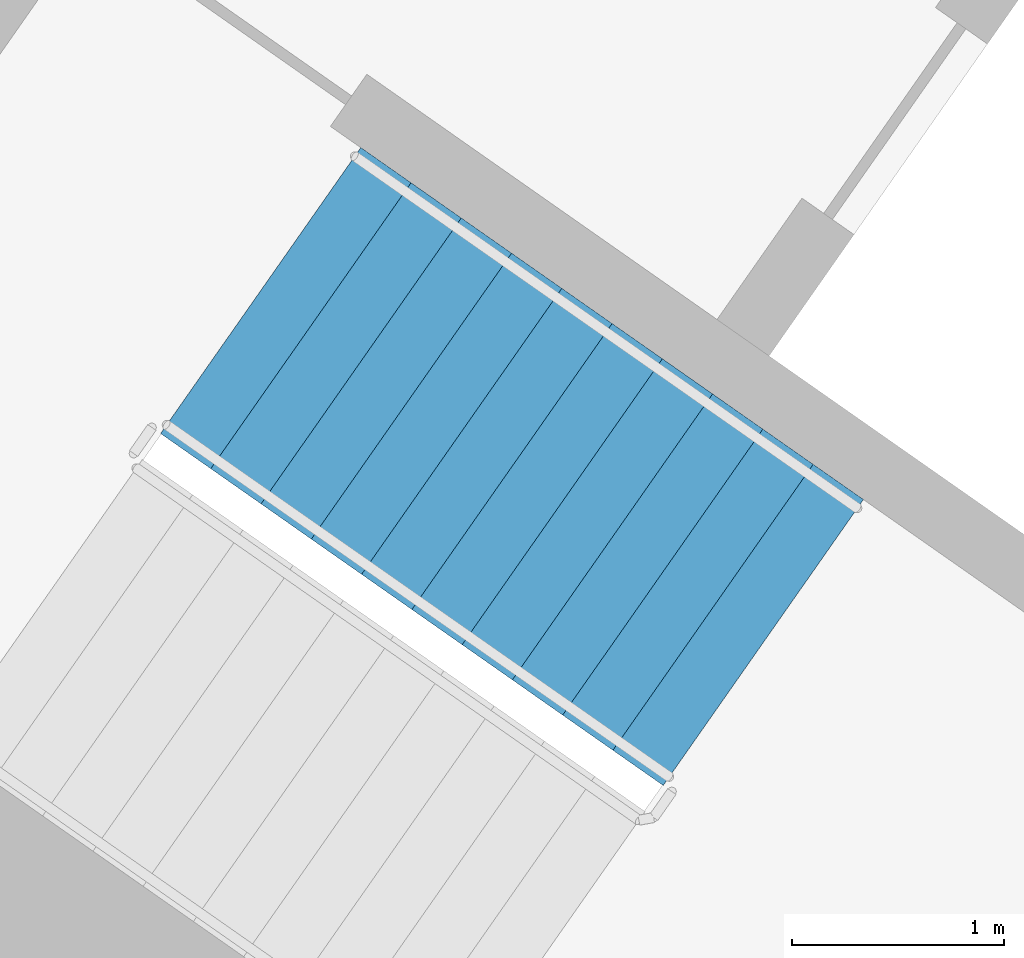
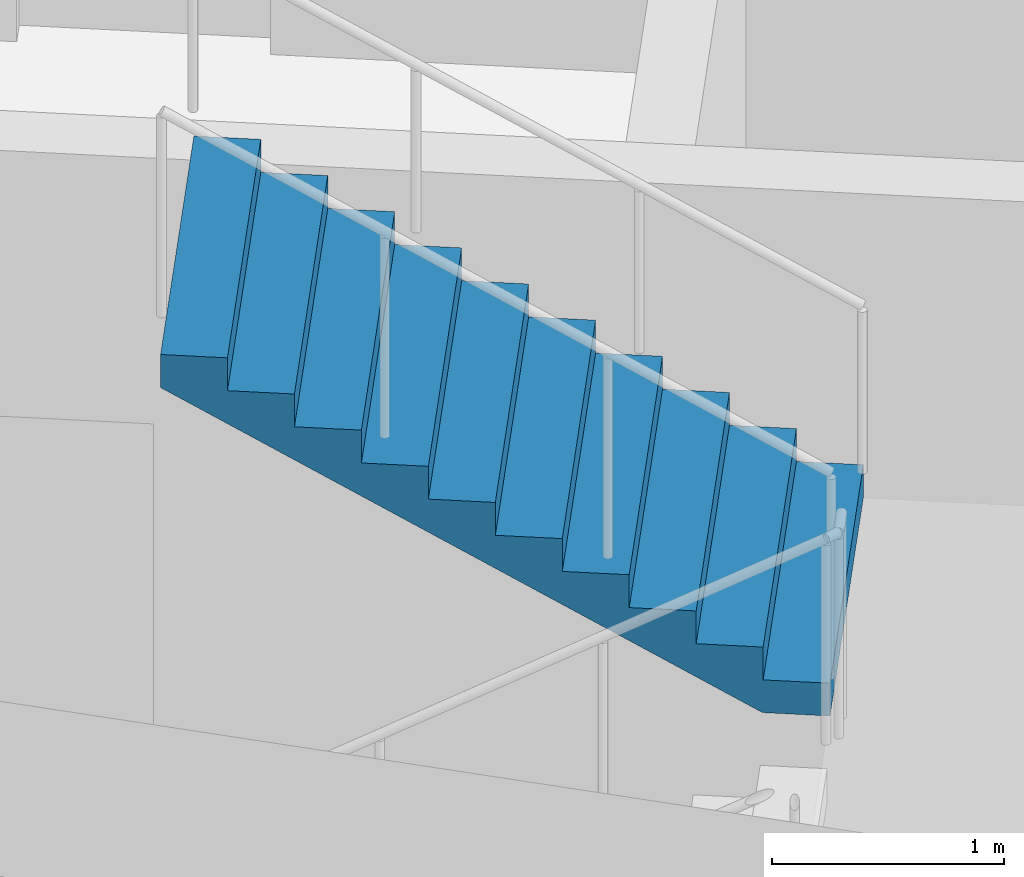
# One storey, part 12 of 30: 1 stair flight, 1 element without a shape of its own.
"""IFC4 building model written with IfcOpenShell, lengths in metres."""

from ifc_helpers import new_model, si_unit, direction, frame, origin, place, context, subcontext, project, spatial, faceted_brep, material, type_object, element, aggregate, save


model = new_model("IFC4")

# Units and contexts
model_context = context("Model", 3, precision=1e-05, world=origin(), true_north=direction((0.0, 1.0)))
body_context = subcontext(model_context, "Body", "Model", "MODEL_VIEW")
ifc_project = project(units=[si_unit("LENGTHUNIT", "METRE"), si_unit("AREAUNIT", "SQUARE_METRE"), si_unit("VOLUMEUNIT", "CUBIC_METRE"), si_unit("PLANEANGLEUNIT", "RADIAN"), si_unit("MASSUNIT", "GRAM", prefix="KILO")], contexts=[model_context])

# Site, building, storey
site_placement = place(None, origin())
site = spatial("IfcSite", under=ifc_project, at=site_placement, CompositionType="ELEMENT")
building_placement = place(site_placement, origin())
building = spatial("IfcBuilding", under=site, at=building_placement, Name="Qamariyya Broadcast Tower", CompositionType="ELEMENT")
storey_placement = place(building_placement, frame((0.0, 0.0, 125.300048828125)))
storey = spatial("IfcBuildingStorey", under=building, at=storey_placement, Name="L28", CompositionType="ELEMENT", Elevation=125.300048828125)

# Stair, stair flight
ifc_material = material(Name="Concrete C50/60", Category="concrete")
stair_type = type_object("IfcStairType", Name="Exit stair 22 risers of 173 mm", PredefinedType="HALF_TURN_STAIR", material=ifc_material)
stair_placement = place(storey_placement, origin())
stair = element("IfcStair", 1, at=stair_placement, inside=storey, type_object=stair_type, Name="L28 Stair W1", PredefinedType="HALF_TURN_STAIR")
stair_flight_type = type_object("IfcStairFlightType", Name="Exit stair flight 11 risers of 173 mm", PredefinedType="STRAIGHT", material=ifc_material)
stair_flight_placement = place(storey_placement, frame((-43.660888671875, -57.17138671875, 1.89990234375), z_axis=(0.0, 0.0, 1.0), x_axis=(-0.819152044289, 0.573576436351, 0.0)))
stair_flight = element("IfcStairFlight", 2, at=stair_flight_placement, type_object=stair_flight_type, Name="ST-W1 flight 2", NumberOfRisers=11, NumberOfTreads=10, PredefinedType="STRAIGHT", RiserHeight=0.172727273, TreadLength=0.29, context=body_context, shape_type="Brep", body=[
    faceted_brep([(0.0, 0.824951171875, 0.0), (0.0, 0.824951171875, 0.172607421875), (0.2900390625, 0.824951171875, 0.172607421875), (0.2900390625, 0.824951171875, 0.345458984375), (0.580078125, 0.824951171875, 0.345458984375), (0.580078125, 0.824951171875, 0.51806640625), (0.8701171875, 0.824951171875, 0.51806640625), (0.8701171875, 0.824951171875, 0.69091796875), (1.159912109375, 0.824951171875, 0.69091796875), (1.159912109375, 0.824951171875, 0.863525390625), (1.449951171875, 0.824951171875, 0.863525390625), (1.449951171875, 0.824951171875, 1.036376953125), (1.739990234375, 0.824951171875, 1.036376953125), (1.739990234375, 0.824951171875, 1.208984375), (2.030029296875, 0.824951171875, 1.208984375), (2.030029296875, 0.824951171875, 1.3818359375), (2.320068359375, 0.824951171875, 1.3818359375), (2.320068359375, 0.824951171875, 1.554443359375), (2.610107421875, 0.824951171875, 1.554443359375), (2.610107421875, 0.824951171875, 1.727294921875), (2.89990234375, 0.824951171875, 1.727294921875), (2.89990234375, 0.824951171875, 1.552734375), (0.29296875, 0.824951171875, 0.0), (0.29296875, -0.824951171875, 0.0), (2.89990234375, -0.824951171875, 1.552734375), (2.89990234375, -0.824951171875, 1.727294921875), (2.610107421875, -0.824951171875, 1.727294921875), (2.610107421875, -0.824951171875, 1.554443359375), (2.320068359375, -0.824951171875, 1.554443359375), (2.320068359375, -0.824951171875, 1.3818359375), (2.030029296875, -0.824951171875, 1.3818359375), (2.030029296875, -0.824951171875, 1.208984375), (1.739990234375, -0.824951171875, 1.208984375), (1.739990234375, -0.824951171875, 1.036376953125), (1.449951171875, -0.824951171875, 1.036376953125), (1.449951171875, -0.824951171875, 0.863525390625), (1.159912109375, -0.824951171875, 0.863525390625), (1.159912109375, -0.824951171875, 0.69091796875), (0.8701171875, -0.824951171875, 0.69091796875), (0.8701171875, -0.824951171875, 0.51806640625), (0.580078125, -0.824951171875, 0.51806640625), (0.580078125, -0.824951171875, 0.345458984375), (0.2900390625, -0.824951171875, 0.345458984375), (0.2900390625, -0.824951171875, 0.172607421875), (0.0, -0.824951171875, 0.172607421875), (0.0, -0.824951171875, 0.0), (0.0, 0.10009765625, 0.0), (0.0, 0.086669921875, 0.0), (0.0, 0.0732421875, 0.0), (0.0, 0.06005859375, 0.0), (0.0, 0.046630859375, 0.0), (0.0, 0.033447265625, 0.0), (0.0, 0.02001953125, 0.0), (0.0, 0.006591796875, 0.0), (0.0, -0.006591796875, 0.0), (0.0, -0.02001953125, 0.0), (0.0, -0.033447265625, 0.0), (0.0, -0.046630859375, 0.0), (0.0, -0.06005859375, 0.0), (0.0, -0.0732421875, 0.0), (0.0, -0.086669921875, 0.0), (0.0, -0.10009765625, 0.0), (0.0, -0.10009765625, 0.172607421875), (0.0, -0.086669921875, 0.172607421875), (0.0, -0.0732421875, 0.172607421875), (0.0, -0.06005859375, 0.172607421875), (0.0, -0.046630859375, 0.172607421875), (0.0, -0.033447265625, 0.172607421875), (0.0, -0.02001953125, 0.172607421875), (0.0, -0.006591796875, 0.172607421875), (0.0, 0.006591796875, 0.172607421875), (0.0, 0.02001953125, 0.172607421875), (0.0, 0.033447265625, 0.172607421875), (0.0, 0.046630859375, 0.172607421875), (0.0, 0.06005859375, 0.172607421875), (0.0, 0.0732421875, 0.172607421875), (0.0, 0.086669921875, 0.172607421875), (0.0, 0.10009765625, 0.172607421875), (0.2900390625, -0.10009765625, 0.172607421875), (0.2900390625, -0.086669921875, 0.172607421875), (0.2900390625, -0.0732421875, 0.172607421875), (0.2900390625, -0.06005859375, 0.172607421875), (0.2900390625, -0.046630859375, 0.172607421875), (0.2900390625, -0.033447265625, 0.172607421875), (0.2900390625, -0.02001953125, 0.172607421875), (0.2900390625, -0.006591796875, 0.172607421875), (0.2900390625, 0.006591796875, 0.172607421875), (0.2900390625, 0.02001953125, 0.172607421875), (0.2900390625, 0.033447265625, 0.172607421875), (0.2900390625, 0.046630859375, 0.172607421875), (0.2900390625, 0.06005859375, 0.172607421875), (0.2900390625, 0.0732421875, 0.172607421875), (0.2900390625, 0.086669921875, 0.172607421875), (0.2900390625, 0.10009765625, 0.172607421875), (0.2900390625, -0.10009765625, 0.345458984375), (0.2900390625, -0.086669921875, 0.345458984375), (0.2900390625, -0.0732421875, 0.345458984375), (0.2900390625, -0.06005859375, 0.345458984375), (0.2900390625, -0.046630859375, 0.345458984375), (0.2900390625, -0.033447265625, 0.345458984375), (0.2900390625, -0.02001953125, 0.345458984375), (0.2900390625, -0.006591796875, 0.345458984375), (0.2900390625, 0.006591796875, 0.345458984375), (0.2900390625, 0.02001953125, 0.345458984375), (0.2900390625, 0.033447265625, 0.345458984375), (0.2900390625, 0.046630859375, 0.345458984375), (0.2900390625, 0.06005859375, 0.345458984375), (0.2900390625, 0.0732421875, 0.345458984375), (0.2900390625, 0.086669921875, 0.345458984375), (0.2900390625, 0.10009765625, 0.345458984375), (0.580078125, -0.10009765625, 0.345458984375), (0.580078125, -0.086669921875, 0.345458984375), (0.580078125, -0.0732421875, 0.345458984375), (0.580078125, -0.06005859375, 0.345458984375), (0.580078125, -0.046630859375, 0.345458984375), (0.580078125, -0.033447265625, 0.345458984375), (0.580078125, -0.02001953125, 0.345458984375), (0.580078125, -0.006591796875, 0.345458984375), (0.580078125, 0.006591796875, 0.345458984375), (0.580078125, 0.02001953125, 0.345458984375), (0.580078125, 0.033447265625, 0.345458984375), (0.580078125, 0.046630859375, 0.345458984375), (0.580078125, 0.06005859375, 0.345458984375), (0.580078125, 0.0732421875, 0.345458984375), (0.580078125, 0.086669921875, 0.345458984375), (0.580078125, 0.10009765625, 0.345458984375), (0.580078125, -0.10009765625, 0.51806640625), (0.580078125, -0.086669921875, 0.51806640625), (0.580078125, -0.0732421875, 0.51806640625), (0.580078125, -0.06005859375, 0.51806640625), (0.580078125, -0.046630859375, 0.51806640625), (0.580078125, -0.033447265625, 0.51806640625), (0.580078125, -0.02001953125, 0.51806640625), (0.580078125, -0.006591796875, 0.51806640625), (0.580078125, 0.006591796875, 0.51806640625), (0.580078125, 0.02001953125, 0.51806640625), (0.580078125, 0.033447265625, 0.51806640625), (0.580078125, 0.046630859375, 0.51806640625), (0.580078125, 0.06005859375, 0.51806640625), (0.580078125, 0.0732421875, 0.51806640625), (0.580078125, 0.086669921875, 0.51806640625), (0.580078125, 0.10009765625, 0.51806640625), (0.8701171875, -0.10009765625, 0.51806640625), (0.8701171875, -0.086669921875, 0.51806640625), (0.8701171875, -0.0732421875, 0.51806640625), (0.8701171875, -0.06005859375, 0.51806640625), (0.8701171875, -0.046630859375, 0.51806640625), (0.8701171875, -0.033447265625, 0.51806640625), (0.8701171875, -0.02001953125, 0.51806640625), (0.8701171875, -0.006591796875, 0.51806640625), (0.8701171875, 0.006591796875, 0.51806640625), (0.8701171875, 0.02001953125, 0.51806640625), (0.8701171875, 0.033447265625, 0.51806640625), (0.8701171875, 0.046630859375, 0.51806640625), (0.8701171875, 0.06005859375, 0.51806640625), (0.8701171875, 0.0732421875, 0.51806640625), (0.8701171875, 0.086669921875, 0.51806640625), (0.8701171875, 0.10009765625, 0.51806640625), (0.8701171875, -0.10009765625, 0.69091796875), (0.8701171875, -0.086669921875, 0.69091796875), (0.8701171875, -0.0732421875, 0.69091796875), (0.8701171875, -0.06005859375, 0.69091796875), (0.8701171875, -0.046630859375, 0.69091796875), (0.8701171875, -0.033447265625, 0.69091796875), (0.8701171875, -0.02001953125, 0.69091796875), (0.8701171875, -0.006591796875, 0.69091796875), (0.8701171875, 0.006591796875, 0.69091796875), (0.8701171875, 0.02001953125, 0.69091796875), (0.8701171875, 0.033447265625, 0.69091796875), (0.8701171875, 0.046630859375, 0.69091796875), (0.8701171875, 0.06005859375, 0.69091796875), (0.8701171875, 0.0732421875, 0.69091796875), (0.8701171875, 0.086669921875, 0.69091796875), (0.8701171875, 0.10009765625, 0.69091796875), (1.159912109375, -0.10009765625, 0.69091796875), (1.159912109375, -0.086669921875, 0.69091796875), (1.159912109375, -0.0732421875, 0.69091796875), (1.159912109375, -0.06005859375, 0.69091796875), (1.159912109375, -0.046630859375, 0.69091796875), (1.159912109375, -0.033447265625, 0.69091796875), (1.159912109375, -0.02001953125, 0.69091796875), (1.159912109375, -0.006591796875, 0.69091796875), (1.159912109375, 0.006591796875, 0.69091796875), (1.159912109375, 0.02001953125, 0.69091796875), (1.159912109375, 0.033447265625, 0.69091796875), (1.159912109375, 0.046630859375, 0.69091796875), (1.159912109375, 0.06005859375, 0.69091796875), (1.159912109375, 0.0732421875, 0.69091796875), (1.159912109375, 0.086669921875, 0.69091796875), (1.159912109375, 0.10009765625, 0.69091796875), (1.159912109375, -0.10009765625, 0.863525390625), (1.159912109375, -0.086669921875, 0.863525390625), (1.159912109375, -0.0732421875, 0.863525390625), (1.159912109375, -0.06005859375, 0.863525390625), (1.159912109375, -0.046630859375, 0.863525390625), (1.159912109375, -0.033447265625, 0.863525390625), (1.159912109375, -0.02001953125, 0.863525390625), (1.159912109375, -0.006591796875, 0.863525390625), (1.159912109375, 0.006591796875, 0.863525390625), (1.159912109375, 0.02001953125, 0.863525390625), (1.159912109375, 0.033447265625, 0.863525390625), (1.159912109375, 0.046630859375, 0.863525390625), (1.159912109375, 0.06005859375, 0.863525390625), (1.159912109375, 0.0732421875, 0.863525390625), (1.159912109375, 0.086669921875, 0.863525390625), (1.159912109375, 0.10009765625, 0.863525390625), (1.449951171875, -0.10009765625, 0.863525390625), (1.449951171875, -0.086669921875, 0.863525390625), (1.449951171875, -0.0732421875, 0.863525390625), (1.449951171875, -0.06005859375, 0.863525390625), (1.449951171875, -0.046630859375, 0.863525390625), (1.449951171875, -0.033447265625, 0.863525390625), (1.449951171875, -0.02001953125, 0.863525390625), (1.449951171875, -0.006591796875, 0.863525390625), (1.449951171875, 0.006591796875, 0.863525390625), (1.449951171875, 0.02001953125, 0.863525390625), (1.449951171875, 0.033447265625, 0.863525390625), (1.449951171875, 0.046630859375, 0.863525390625), (1.449951171875, 0.06005859375, 0.863525390625), (1.449951171875, 0.0732421875, 0.863525390625), (1.449951171875, 0.086669921875, 0.863525390625), (1.449951171875, 0.10009765625, 0.863525390625), (1.449951171875, -0.10009765625, 1.036376953125), (1.449951171875, -0.086669921875, 1.036376953125), (1.449951171875, -0.0732421875, 1.036376953125), (1.449951171875, -0.06005859375, 1.036376953125), (1.449951171875, -0.046630859375, 1.036376953125), (1.449951171875, -0.033447265625, 1.036376953125), (1.449951171875, -0.02001953125, 1.036376953125), (1.449951171875, -0.006591796875, 1.036376953125), (1.449951171875, 0.006591796875, 1.036376953125), (1.449951171875, 0.02001953125, 1.036376953125), (1.449951171875, 0.033447265625, 1.036376953125), (1.449951171875, 0.046630859375, 1.036376953125), (1.449951171875, 0.06005859375, 1.036376953125), (1.449951171875, 0.0732421875, 1.036376953125), (1.449951171875, 0.086669921875, 1.036376953125), (1.449951171875, 0.10009765625, 1.036376953125), (1.739990234375, -0.10009765625, 1.036376953125), (1.739990234375, -0.086669921875, 1.036376953125), (1.739990234375, -0.0732421875, 1.036376953125), (1.739990234375, -0.06005859375, 1.036376953125), (1.739990234375, -0.046630859375, 1.036376953125), (1.739990234375, -0.033447265625, 1.036376953125), (1.739990234375, -0.02001953125, 1.036376953125), (1.739990234375, -0.006591796875, 1.036376953125), (1.739990234375, 0.006591796875, 1.036376953125), (1.739990234375, 0.02001953125, 1.036376953125), (1.739990234375, 0.033447265625, 1.036376953125), (1.739990234375, 0.046630859375, 1.036376953125), (1.739990234375, 0.06005859375, 1.036376953125), (1.739990234375, 0.0732421875, 1.036376953125), (1.739990234375, 0.086669921875, 1.036376953125), (1.739990234375, 0.10009765625, 1.036376953125), (1.739990234375, -0.10009765625, 1.208984375), (1.739990234375, -0.086669921875, 1.208984375), (1.739990234375, -0.0732421875, 1.208984375), (1.739990234375, -0.06005859375, 1.208984375), (1.739990234375, -0.046630859375, 1.208984375), (1.739990234375, -0.033447265625, 1.208984375), (1.739990234375, -0.02001953125, 1.208984375), (1.739990234375, -0.006591796875, 1.208984375), (1.739990234375, 0.006591796875, 1.208984375), (1.739990234375, 0.02001953125, 1.208984375), (1.739990234375, 0.033447265625, 1.208984375), (1.739990234375, 0.046630859375, 1.208984375), (1.739990234375, 0.06005859375, 1.208984375), (1.739990234375, 0.0732421875, 1.208984375), (1.739990234375, 0.086669921875, 1.208984375), (1.739990234375, 0.10009765625, 1.208984375), (2.030029296875, -0.10009765625, 1.208984375), (2.030029296875, -0.086669921875, 1.208984375), (2.030029296875, -0.0732421875, 1.208984375), (2.030029296875, -0.06005859375, 1.208984375), (2.030029296875, -0.046630859375, 1.208984375), (2.030029296875, -0.033447265625, 1.208984375), (2.030029296875, -0.02001953125, 1.208984375), (2.030029296875, -0.006591796875, 1.208984375), (2.030029296875, 0.006591796875, 1.208984375), (2.030029296875, 0.02001953125, 1.208984375), (2.030029296875, 0.033447265625, 1.208984375), (2.030029296875, 0.046630859375, 1.208984375), (2.030029296875, 0.06005859375, 1.208984375), (2.030029296875, 0.0732421875, 1.208984375), (2.030029296875, 0.086669921875, 1.208984375), (2.030029296875, 0.10009765625, 1.208984375), (2.030029296875, -0.10009765625, 1.3818359375), (2.030029296875, -0.086669921875, 1.3818359375), (2.030029296875, -0.0732421875, 1.3818359375), (2.030029296875, -0.06005859375, 1.3818359375), (2.030029296875, -0.046630859375, 1.3818359375), (2.030029296875, -0.033447265625, 1.3818359375), (2.030029296875, -0.02001953125, 1.3818359375), (2.030029296875, -0.006591796875, 1.3818359375), (2.030029296875, 0.006591796875, 1.3818359375), (2.030029296875, 0.02001953125, 1.3818359375), (2.030029296875, 0.033447265625, 1.3818359375), (2.030029296875, 0.046630859375, 1.3818359375), (2.030029296875, 0.06005859375, 1.3818359375), (2.030029296875, 0.0732421875, 1.3818359375), (2.030029296875, 0.086669921875, 1.3818359375), (2.030029296875, 0.10009765625, 1.3818359375), (2.320068359375, -0.10009765625, 1.3818359375), (2.320068359375, -0.086669921875, 1.3818359375), (2.320068359375, -0.0732421875, 1.3818359375), (2.320068359375, -0.06005859375, 1.3818359375), (2.320068359375, -0.046630859375, 1.3818359375), (2.320068359375, -0.033447265625, 1.3818359375), (2.320068359375, -0.02001953125, 1.3818359375), (2.320068359375, -0.006591796875, 1.3818359375), (2.320068359375, 0.006591796875, 1.3818359375), (2.320068359375, 0.02001953125, 1.3818359375), (2.320068359375, 0.033447265625, 1.3818359375), (2.320068359375, 0.046630859375, 1.3818359375), (2.320068359375, 0.06005859375, 1.3818359375), (2.320068359375, 0.0732421875, 1.3818359375), (2.320068359375, 0.086669921875, 1.3818359375), (2.320068359375, 0.10009765625, 1.3818359375), (2.320068359375, -0.10009765625, 1.554443359375), (2.320068359375, -0.086669921875, 1.554443359375), (2.320068359375, -0.0732421875, 1.554443359375), (2.320068359375, -0.06005859375, 1.554443359375), (2.320068359375, -0.046630859375, 1.554443359375), (2.320068359375, -0.033447265625, 1.554443359375), (2.320068359375, -0.02001953125, 1.554443359375), (2.320068359375, -0.006591796875, 1.554443359375), (2.320068359375, 0.006591796875, 1.554443359375), (2.320068359375, 0.02001953125, 1.554443359375), (2.320068359375, 0.033447265625, 1.554443359375), (2.320068359375, 0.046630859375, 1.554443359375), (2.320068359375, 0.06005859375, 1.554443359375), (2.320068359375, 0.0732421875, 1.554443359375), (2.320068359375, 0.086669921875, 1.554443359375), (2.320068359375, 0.10009765625, 1.554443359375), (2.610107421875, -0.10009765625, 1.554443359375), (2.610107421875, -0.086669921875, 1.554443359375), (2.610107421875, -0.0732421875, 1.554443359375), (2.610107421875, -0.06005859375, 1.554443359375), (2.610107421875, -0.046630859375, 1.554443359375), (2.610107421875, -0.033447265625, 1.554443359375), (2.610107421875, -0.02001953125, 1.554443359375), (2.610107421875, -0.006591796875, 1.554443359375), (2.610107421875, 0.006591796875, 1.554443359375), (2.610107421875, 0.02001953125, 1.554443359375), (2.610107421875, 0.033447265625, 1.554443359375), (2.610107421875, 0.046630859375, 1.554443359375), (2.610107421875, 0.06005859375, 1.554443359375), (2.610107421875, 0.0732421875, 1.554443359375), (2.610107421875, 0.086669921875, 1.554443359375), (2.610107421875, 0.10009765625, 1.554443359375), (2.610107421875, -0.10009765625, 1.727294921875), (2.610107421875, -0.086669921875, 1.727294921875), (2.610107421875, -0.0732421875, 1.727294921875), (2.610107421875, -0.06005859375, 1.727294921875), (2.610107421875, -0.046630859375, 1.727294921875), (2.610107421875, -0.033447265625, 1.727294921875), (2.610107421875, -0.02001953125, 1.727294921875), (2.610107421875, -0.006591796875, 1.727294921875), (2.610107421875, 0.006591796875, 1.727294921875), (2.610107421875, 0.02001953125, 1.727294921875), (2.610107421875, 0.033447265625, 1.727294921875), (2.610107421875, 0.046630859375, 1.727294921875), (2.610107421875, 0.06005859375, 1.727294921875), (2.610107421875, 0.0732421875, 1.727294921875), (2.610107421875, 0.086669921875, 1.727294921875), (2.610107421875, 0.10009765625, 1.727294921875), (2.89990234375, -0.10009765625, 1.727294921875), (2.89990234375, -0.086669921875, 1.727294921875), (2.89990234375, -0.0732421875, 1.727294921875), (2.89990234375, -0.06005859375, 1.727294921875), (2.89990234375, -0.046630859375, 1.727294921875), (2.89990234375, -0.033447265625, 1.727294921875), (2.89990234375, -0.02001953125, 1.727294921875), (2.89990234375, -0.006591796875, 1.727294921875), (2.89990234375, 0.006591796875, 1.727294921875), (2.89990234375, 0.02001953125, 1.727294921875), (2.89990234375, 0.033447265625, 1.727294921875), (2.89990234375, 0.046630859375, 1.727294921875), (2.89990234375, 0.06005859375, 1.727294921875), (2.89990234375, 0.0732421875, 1.727294921875), (2.89990234375, 0.086669921875, 1.727294921875), (2.89990234375, 0.10009765625, 1.727294921875), (2.89990234375, -0.10009765625, 1.552734375), (2.89990234375, -0.086669921875, 1.552734375), (2.89990234375, -0.0732421875, 1.552734375), (2.89990234375, -0.06005859375, 1.552734375), (2.89990234375, -0.046630859375, 1.552734375), (2.89990234375, -0.033447265625, 1.552734375), (2.89990234375, -0.02001953125, 1.552734375), (2.89990234375, -0.006591796875, 1.552734375), (2.89990234375, 0.006591796875, 1.552734375), (2.89990234375, 0.02001953125, 1.552734375), (2.89990234375, 0.033447265625, 1.552734375), (2.89990234375, 0.046630859375, 1.552734375), (2.89990234375, 0.06005859375, 1.552734375), (2.89990234375, 0.0732421875, 1.552734375), (2.89990234375, 0.086669921875, 1.552734375), (2.89990234375, 0.10009765625, 1.552734375), (0.29296875, -0.10009765625, 0.0), (0.29296875, -0.086669921875, 0.0), (0.29296875, -0.0732421875, 0.0), (0.29296875, -0.06005859375, 0.0), (0.29296875, -0.046630859375, 0.0), (0.29296875, -0.033447265625, 0.0), (0.29296875, -0.02001953125, 0.0), (0.29296875, -0.006591796875, 0.0), (0.29296875, 0.006591796875, 0.0), (0.29296875, 0.02001953125, 0.0), (0.29296875, 0.033447265625, 0.0), (0.29296875, 0.046630859375, 0.0), (0.29296875, 0.06005859375, 0.0), (0.29296875, 0.0732421875, 0.0), (0.29296875, 0.086669921875, 0.0), (0.29296875, 0.10009765625, 0.0)], [[[0, 1, 2, 3, 4, 5, 6, 7, 8, 9, 10, 11, 12, 13, 14, 15, 16, 17, 18, 19, 20, 21, 22]], [[23, 24, 25, 26, 27, 28, 29, 30, 31, 32, 33, 34, 35, 36, 37, 38, 39, 40, 41, 42, 43, 44, 45]], [[0, 46, 47, 48, 49, 50, 51, 52, 53, 54, 55, 56, 57, 58, 59, 60, 61, 45, 44, 62, 63, 64, 65, 66, 67, 68, 69, 70, 71, 72, 73, 74, 75, 76, 77, 1]], [[1, 77, 76, 75, 74, 73, 72, 71, 70, 69, 68, 67, 66, 65, 64, 63, 62, 44, 43, 78, 79, 80, 81, 82, 83, 84, 85, 86, 87, 88, 89, 90, 91, 92, 93, 2]], [[2, 93, 92, 91, 90, 89, 88, 87, 86, 85, 84, 83, 82, 81, 80, 79, 78, 43, 42, 94, 95, 96, 97, 98, 99, 100, 101, 102, 103, 104, 105, 106, 107, 108, 109, 3]], [[3, 109, 108, 107, 106, 105, 104, 103, 102, 101, 100, 99, 98, 97, 96, 95, 94, 42, 41, 110, 111, 112, 113, 114, 115, 116, 117, 118, 119, 120, 121, 122, 123, 124, 125, 4]], [[4, 125, 124, 123, 122, 121, 120, 119, 118, 117, 116, 115, 114, 113, 112, 111, 110, 41, 40, 126, 127, 128, 129, 130, 131, 132, 133, 134, 135, 136, 137, 138, 139, 140, 141, 5]], [[5, 141, 140, 139, 138, 137, 136, 135, 134, 133, 132, 131, 130, 129, 128, 127, 126, 40, 39, 142, 143, 144, 145, 146, 147, 148, 149, 150, 151, 152, 153, 154, 155, 156, 157, 6]], [[6, 157, 156, 155, 154, 153, 152, 151, 150, 149, 148, 147, 146, 145, 144, 143, 142, 39, 38, 158, 159, 160, 161, 162, 163, 164, 165, 166, 167, 168, 169, 170, 171, 172, 173, 7]], [[7, 173, 172, 171, 170, 169, 168, 167, 166, 165, 164, 163, 162, 161, 160, 159, 158, 38, 37, 174, 175, 176, 177, 178, 179, 180, 181, 182, 183, 184, 185, 186, 187, 188, 189, 8]], [[8, 189, 188, 187, 186, 185, 184, 183, 182, 181, 180, 179, 178, 177, 176, 175, 174, 37, 36, 190, 191, 192, 193, 194, 195, 196, 197, 198, 199, 200, 201, 202, 203, 204, 205, 9]], [[9, 205, 204, 203, 202, 201, 200, 199, 198, 197, 196, 195, 194, 193, 192, 191, 190, 36, 35, 206, 207, 208, 209, 210, 211, 212, 213, 214, 215, 216, 217, 218, 219, 220, 221, 10]], [[10, 221, 220, 219, 218, 217, 216, 215, 214, 213, 212, 211, 210, 209, 208, 207, 206, 35, 34, 222, 223, 224, 225, 226, 227, 228, 229, 230, 231, 232, 233, 234, 235, 236, 237, 11]], [[11, 237, 236, 235, 234, 233, 232, 231, 230, 229, 228, 227, 226, 225, 224, 223, 222, 34, 33, 238, 239, 240, 241, 242, 243, 244, 245, 246, 247, 248, 249, 250, 251, 252, 253, 12]], [[12, 253, 252, 251, 250, 249, 248, 247, 246, 245, 244, 243, 242, 241, 240, 239, 238, 33, 32, 254, 255, 256, 257, 258, 259, 260, 261, 262, 263, 264, 265, 266, 267, 268, 269, 13]], [[13, 269, 268, 267, 266, 265, 264, 263, 262, 261, 260, 259, 258, 257, 256, 255, 254, 32, 31, 270, 271, 272, 273, 274, 275, 276, 277, 278, 279, 280, 281, 282, 283, 284, 285, 14]], [[14, 285, 284, 283, 282, 281, 280, 279, 278, 277, 276, 275, 274, 273, 272, 271, 270, 31, 30, 286, 287, 288, 289, 290, 291, 292, 293, 294, 295, 296, 297, 298, 299, 300, 301, 15]], [[15, 301, 300, 299, 298, 297, 296, 295, 294, 293, 292, 291, 290, 289, 288, 287, 286, 30, 29, 302, 303, 304, 305, 306, 307, 308, 309, 310, 311, 312, 313, 314, 315, 316, 317, 16]], [[16, 317, 316, 315, 314, 313, 312, 311, 310, 309, 308, 307, 306, 305, 304, 303, 302, 29, 28, 318, 319, 320, 321, 322, 323, 324, 325, 326, 327, 328, 329, 330, 331, 332, 333, 17]], [[17, 333, 332, 331, 330, 329, 328, 327, 326, 325, 324, 323, 322, 321, 320, 319, 318, 28, 27, 334, 335, 336, 337, 338, 339, 340, 341, 342, 343, 344, 345, 346, 347, 348, 349, 18]], [[18, 349, 348, 347, 346, 345, 344, 343, 342, 341, 340, 339, 338, 337, 336, 335, 334, 27, 26, 350, 351, 352, 353, 354, 355, 356, 357, 358, 359, 360, 361, 362, 363, 364, 365, 19]], [[19, 365, 364, 363, 362, 361, 360, 359, 358, 357, 356, 355, 354, 353, 352, 351, 350, 26, 25, 366, 367, 368, 369, 370, 371, 372, 373, 374, 375, 376, 377, 378, 379, 380, 381, 20]], [[20, 381, 380, 379, 378, 377, 376, 375, 374, 373, 372, 371, 370, 369, 368, 367, 366, 25, 24, 382, 383, 384, 385, 386, 387, 388, 389, 390, 391, 392, 393, 394, 395, 396, 397, 21]], [[21, 397, 396, 395, 394, 393, 392, 391, 390, 389, 388, 387, 386, 385, 384, 383, 382, 24, 23, 398, 399, 400, 401, 402, 403, 404, 405, 406, 407, 408, 409, 410, 411, 412, 413, 22]], [[22, 413, 412, 411, 410, 409, 408, 407, 406, 405, 404, 403, 402, 401, 400, 399, 398, 23, 45, 61, 60, 59, 58, 57, 56, 55, 54, 53, 52, 51, 50, 49, 48, 47, 46, 0]]]),
])
aggregate(stair, [stair_flight])

save(model, "model.ifc")
